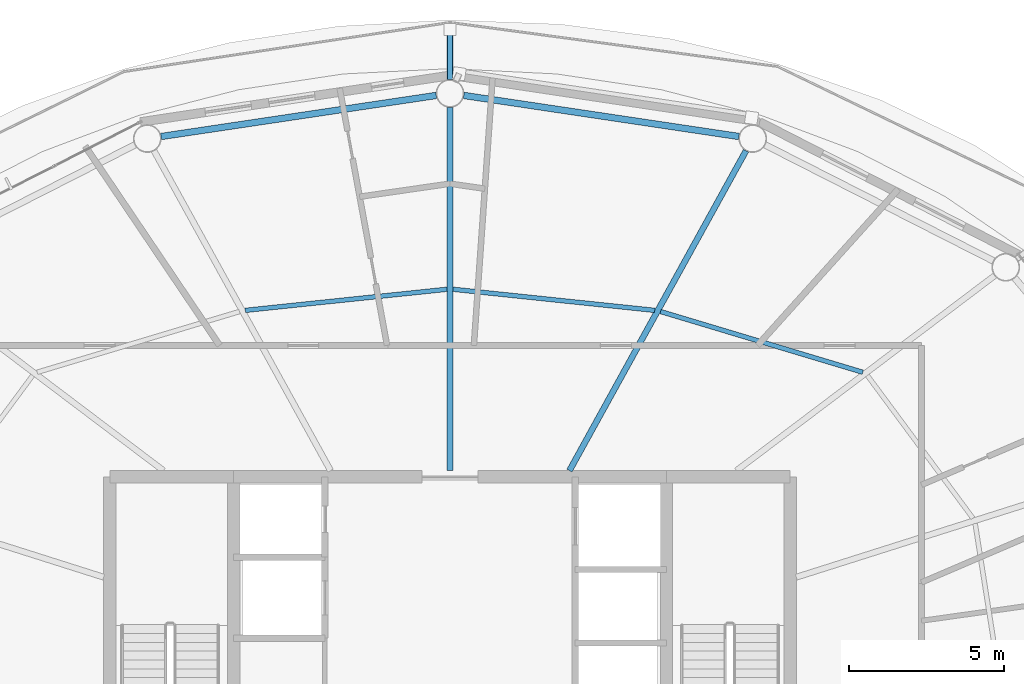
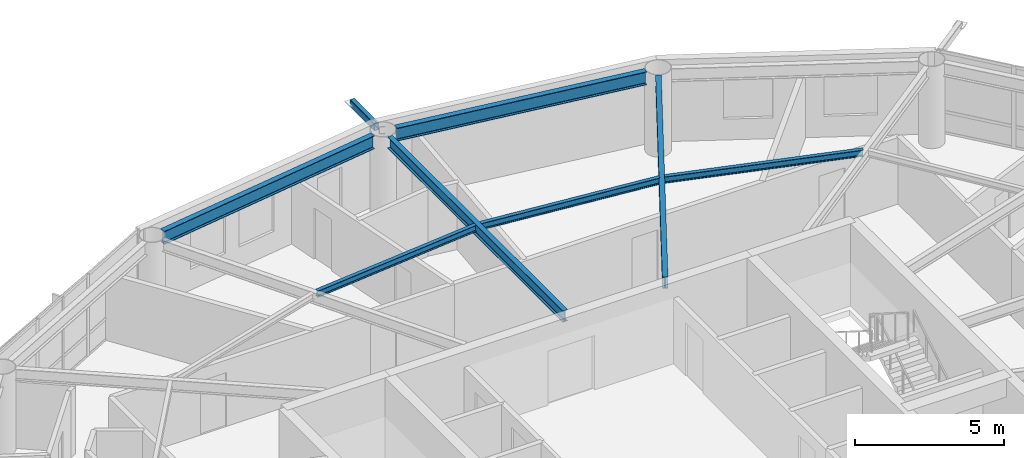
# One storey, part 10 of 22: 7 beams, 1 member.
"""IFC4 building model written with IfcOpenShell, lengths in metres."""

from ifc_helpers import new_model, si_unit, direction, frame, origin, origin_2d, place, context, subcontext, project, spatial, hollow_rectangle, i_section, extrude, material, material_profile, profile_set, type_object, element, save


model = new_model("IFC4")

# Units and contexts
model_context = context("Model", 3, precision=1e-05, world=origin(), true_north=direction((0.0, 1.0)))
body_context = subcontext(model_context, "Body", "Model", "MODEL_VIEW")
ifc_project = project(units=[si_unit("LENGTHUNIT", "METRE"), si_unit("AREAUNIT", "SQUARE_METRE"), si_unit("VOLUMEUNIT", "CUBIC_METRE"), si_unit("PLANEANGLEUNIT", "RADIAN"), si_unit("MASSUNIT", "GRAM", prefix="KILO")], contexts=[model_context])

# Site, building, storey
site_placement = place(None, origin())
site = spatial("IfcSite", under=ifc_project, at=site_placement, CompositionType="ELEMENT")
building_placement = place(site_placement, origin())
building = spatial("IfcBuilding", under=site, at=building_placement, Name="Sarneth Arch Tower", CompositionType="ELEMENT")
storey_placement = place(building_placement, frame((0.0, 0.0, 213.60009765625)))
storey = spatial("IfcBuildingStorey", under=building, at=storey_placement, Name="L54", CompositionType="ELEMENT", Elevation=213.60009765625)

# Beams
ifc_material_1 = material(Name="Steel S355", Category="steel")
ifc_material_profile_1 = material_profile(ifc_material_1, i_section(OverallWidth=0.14794921875, OverallDepth=0.26611328125, WebThickness=0.007568359375, FlangeThickness=0.012939453125, FilletRadius=0.012939453125, at=origin_2d()), Name="W250x44.8")
ifc_profile_set_1 = profile_set([ifc_material_profile_1], Name="Steel S355")
beam_type_1 = type_object("IfcBeamType", Name="BM-JOIST-250", PredefinedType="JOIST", material=ifc_profile_set_1)
beam_1_placement = place(storey_placement, frame((61.35009765625, 52.18017578125, 3.226806640625), z_axis=(-0.957725851155, 0.287682453461, 0.0), x_axis=(-0.287682453461, -0.957725851155, 0.0)))
element("IfcBeam", 1, at=beam_1_placement, inside=storey, type_object=beam_type_1, Name="L54 Secondary floor joist 03", PredefinedType="JOIST", context=body_context, shape_type="SweptSolid", body=[
    extrude(i_section(OverallWidth=0.14794921875, OverallDepth=0.26611328125, WebThickness=0.007568359375, FlangeThickness=0.012939453125, FilletRadius=0.012939453125, at=origin_2d()), origin(), (0.0, 0.0, 1.0), 6.828125),
])
for number, where, z_axis, x_axis, name in (
    (2, (54.623046875, 54.18212890625, 3.226806640625), (-0.994572713015, 0.104043829835, 0.0), (-0.104043829835, -0.994572713015, 0.0), "L54 Secondary floor joist 04"),
    (3, (47.904541015625, 54.864990234375, 3.226806640625), (-0.994572713015, -0.104043829835, 0.0), (0.104043829835, -0.994572713015, 0.0), "L54 Secondary floor joist 05"),
):
    element("IfcBeam", number, at=place(storey_placement, frame(where, z_axis=z_axis, x_axis=x_axis)), inside=storey, type_object=beam_type_1, Name=name, PredefinedType="JOIST", context=body_context, shape_type="SweptSolid", body=[
        extrude(i_section(OverallWidth=0.14794921875, OverallDepth=0.26611328125, WebThickness=0.007568359375, FlangeThickness=0.012939453125, FilletRadius=0.012939453125, at=origin_2d()), origin(), (0.0, 0.0, 1.0), 6.563232421875),
    ])
ifc_material_2 = material(Name="Steel S355", Category="steel")
ifc_material_profile_2 = material_profile(ifc_material_2, i_section(OverallWidth=0.19189453125, OverallDepth=0.462890625, WebThickness=0.010498046875, FlangeThickness=0.017578125, FilletRadius=0.01806640625, at=origin_2d()), Name="W460x89")
ifc_profile_set_2 = profile_set([ifc_material_profile_2], Name="Steel S355")
beam_type_2 = type_object("IfcBeamType", Name="BM-RAD-460B", PredefinedType="BEAM", material=ifc_profile_set_2)
beam_2_placement = place(storey_placement, frame((51.86376953125, 49.0, 3.12841796875), z_axis=(0.483218265038, 0.875499919094, 0.0), x_axis=(-0.875499919094, 0.483218265038, 0.0)))
element("IfcBeam", 4, at=beam_2_placement, inside=storey, type_object=beam_type_2, Name="L54 Radial floor girder 04", PredefinedType="BEAM", context=body_context, shape_type="SweptSolid", body=[
    extrude(i_section(OverallWidth=0.19189453125, OverallDepth=0.462890625, WebThickness=0.010498046875, FlangeThickness=0.017578125, FilletRadius=0.01806640625, at=origin_2d()), origin(), (0.0, 0.0, 1.0), 11.8154296875),
])
beam_3_placement = place(storey_placement, frame((48.0, 49.0, 3.12841796875), z_axis=(0.0, 1.0, 0.0), x_axis=(-1.0, 0.0, 0.0)))
element("IfcBeam", 5, at=beam_3_placement, inside=storey, type_object=beam_type_2, Name="L54 Radial floor girder 05", PredefinedType="BEAM", context=body_context, shape_type="SweptSolid", body=[
    extrude(i_section(OverallWidth=0.19189453125, OverallDepth=0.462890625, WebThickness=0.010498046875, FlangeThickness=0.017578125, FilletRadius=0.01806640625, at=origin_2d()), origin(), (0.0, 0.0, 1.0), 11.75),
])
ifc_material_3 = material(Name="Steel S355", Category="steel")
ifc_material_profile_3 = material_profile(ifc_material_3, i_section(OverallWidth=0.2109375, OverallDepth=0.5390625, WebThickness=0.01171875, FlangeThickness=0.018798828125, FilletRadius=0.01806640625, at=origin_2d()), Name="W530x109")
ifc_profile_set_3 = profile_set([ifc_material_profile_3], Name="Steel S355")
beam_type_3 = type_object("IfcBeamType", Name="BM-RAD-530B", PredefinedType="BEAM", material=ifc_profile_set_3)
for number, where, z_axis, x_axis, name in (
    (6, (57.345703125, 59.804931640625, 3.09033203125), (-0.989041765772, 0.147635990052, 0.0), (-0.147635990052, -0.989041765772, 0.0), "L54 Perimeter spandrel beam 04"),
    (7, (47.554931640625, 61.133544921875, 3.09033203125), (-0.989041765772, -0.147635990052, 0.0), (0.147635990052, -0.989041765772, 0.0), "L54 Perimeter spandrel beam 05"),
):
    element("IfcBeam", number, at=place(storey_placement, frame(where, z_axis=z_axis, x_axis=x_axis)), inside=storey, type_object=beam_type_3, Name=name, PredefinedType="BEAM", context=body_context, shape_type="SweptSolid", body=[
        extrude(i_section(OverallWidth=0.2109375, OverallDepth=0.5390625, WebThickness=0.01171875, FlangeThickness=0.018798828125, FilletRadius=0.01806640625, at=origin_2d()), origin(), (0.0, 0.0, 1.0), 8.999267578125),
    ])

# Member
ifc_material_4 = material(Name="Steel S355", Category="steel")
ifc_material_profile_4 = material_profile(ifc_material_4, hollow_rectangle(XDim=0.199951171875, YDim=0.300048828125, WallThickness=0.012451171875, InnerFilletRadius=0.018798828125, OuterFilletRadius=0.03125, at=origin_2d()), Name="RHS300x200x12.5")
ifc_profile_set_4 = profile_set([ifc_material_profile_4], Name="Steel S355")
member_type = type_object("IfcMemberType", Name="MEM-CANT-STRUT", PredefinedType="STRUT", material=ifc_profile_set_4)
member_placement = place(storey_placement, frame((48.0, 61.64990234375, 3.199951171875), z_axis=(0.0, 1.0, 0.0), x_axis=(-1.0, 0.0, 0.0)))
element("IfcMember", 8, at=member_placement, inside=storey, type_object=member_type, Name="L54 Balcony cantilever bracket 05", PredefinedType="STRUT", context=body_context, shape_type="SweptSolid", body=[
    extrude(hollow_rectangle(XDim=0.199951171875, YDim=0.300048828125, WallThickness=0.012451171875, InnerFilletRadius=0.018798828125, OuterFilletRadius=0.03125, at=origin_2d()), origin(), (0.0, 0.0, 1.0), 1.61669921875),
])

save(model, "model.ifc")
